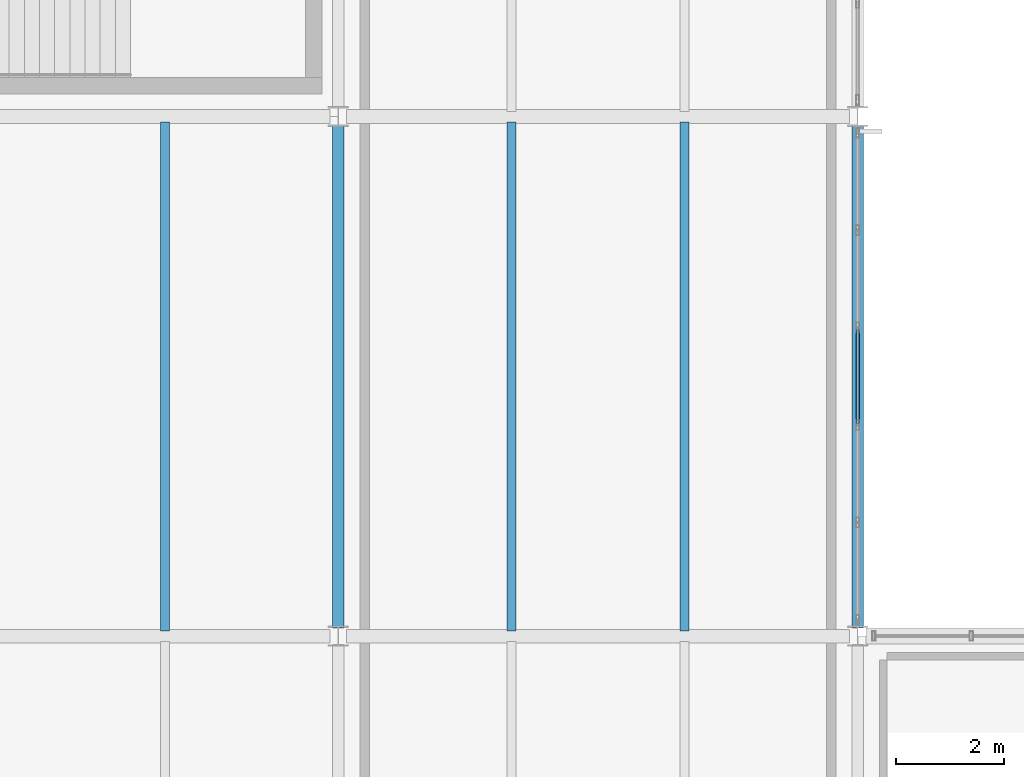
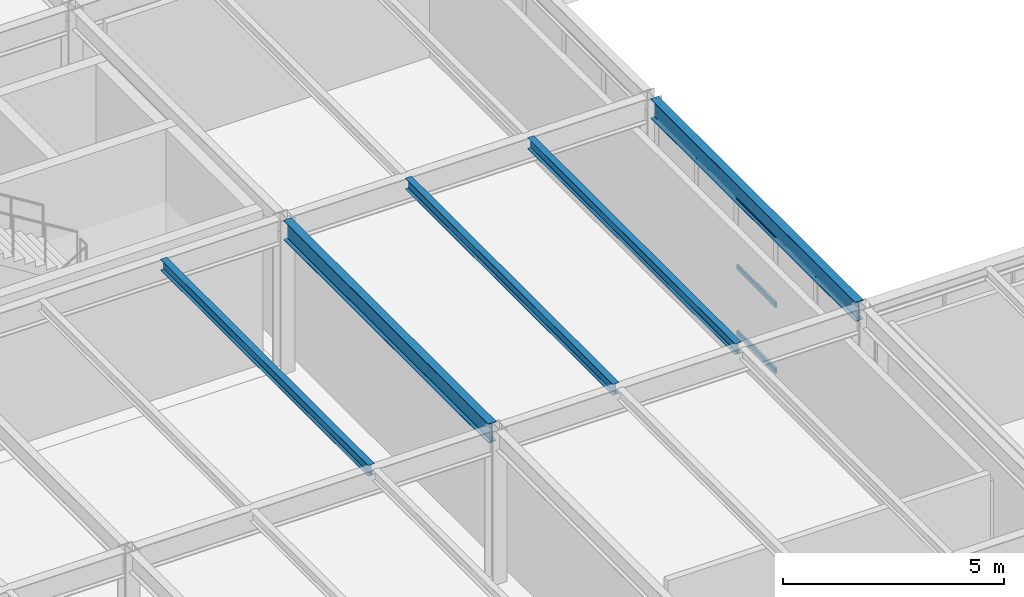
# One storey, part 27 of 170: 5 beams, 3 members, 1 element without a shape of its own.
"""IFC4 building model written with IfcOpenShell, lengths in metres."""

import ifcopenshell
import ifcopenshell.guid

model = None  # the IFC model being written
_history = None  # IfcOwnerHistory: only IFC2X3 demands one
_inside = {}  # id of a spatial element -> (the spatial element, [elements in it])
_under = {}  # id of a project, library or spatial element -> (it, [spatial elements below it])
_declared = {}  # id of a project -> (the project, [libraries it declares])
_typed = {}  # id of a type object -> (the type object, [elements of that type])
_made_of = {}  # id of a material, layer set ... -> (it, [elements and type objects made of it])


def new_model(schema):
    """Start an empty IFC model of exactly this schema.

    Asked for "IFC4X3", IfcOpenShell would pick the latest addendum, in which some entities
    have other attributes; the version numbers below select the first issue.
    IFC2X3 requires an IfcOwnerHistory on every rooted entity: one is made here for all.
    """
    global model, _history
    if schema == "IFC4X3":
        model = ifcopenshell.file(schema_version=(4, 3, 0, 0))
    else:
        model = ifcopenshell.file(schema=schema)
    _inside.clear()
    _under.clear()
    _declared.clear()
    _typed.clear()
    _made_of.clear()
    _history = None
    if model.schema == "IFC2X3":
        org = make("IfcOrganization", Name="unknown")
        user = make(
            "IfcPersonAndOrganization",
            ThePerson=make("IfcPerson", FamilyName="unknown"),
            TheOrganization=org,
        )
        app = make(
            "IfcApplication",
            ApplicationDeveloper=org,
            Version="unknown",
            ApplicationFullName="unknown",
            ApplicationIdentifier="unknown",
        )
        _history = make(
            "IfcOwnerHistory",
            OwningUser=user,
            OwningApplication=app,
            ChangeAction="ADDED",
            CreationDate=0,
        )
    return model


def make(cls, **values):
    """One entity of the class cls with the attributes given. An attribute that is None is left unset."""
    return model.create_entity(
        cls, **{name: value for name, value in values.items() if value is not None}
    )


def rooted(cls, **values):
    """An entity with a GlobalId (a new one), such as an element, a storey or a relation."""
    return make(cls, GlobalId=ifcopenshell.guid.new(), OwnerHistory=_history, **values)


def si_unit(unit_type, name, prefix=None):
    """IfcSIUnit, for example si_unit("LENGTHUNIT", "METRE", prefix="MILLI")."""
    return make("IfcSIUnit", UnitType=unit_type, Prefix=prefix, Name=name)


def assignment(units):
    """IfcUnitAssignment: the units of a project."""
    return None if units is None else make("IfcUnitAssignment", Units=units)


def point(xyz):
    """IfcCartesianPoint."""
    return None if xyz is None else make("IfcCartesianPoint", Coordinates=xyz)


def direction(xyz):
    """IfcDirection."""
    return None if xyz is None else make("IfcDirection", DirectionRatios=xyz)


def frame(location, z_axis=None, x_axis=None):
    """IfcAxis2Placement3D, a coordinate frame: its origin and axes. An axis left out is left unset."""
    return make(
        "IfcAxis2Placement3D",
        Location=point(location),
        Axis=direction(z_axis),
        RefDirection=direction(x_axis),
    )


def frame_2d(location, x_axis=None):
    """IfcAxis2Placement2D, a coordinate frame in the plane: its origin and x axis."""
    return make(
        "IfcAxis2Placement2D", Location=point(location), RefDirection=direction(x_axis)
    )


def origin():
    """The frame at (0, 0, 0) with its axes left unset."""
    return frame((0.0, 0.0, 0.0))


def origin_2d():
    """The frame at (0, 0) in the plane with its x axis left unset."""
    return frame_2d((0.0, 0.0))


def place(relative_to, where):
    """IfcLocalPlacement: puts the frame where relative to a parent placement (None: the world)."""
    return make(
        "IfcLocalPlacement", PlacementRelTo=relative_to, RelativePlacement=where
    )


def context(
    kind, dimensions, precision=None, world=None, true_north=None, identifier=None
):
    """IfcGeometricRepresentationContext, for example the 3D "Model" context."""
    return make(
        "IfcGeometricRepresentationContext",
        ContextIdentifier=identifier,
        ContextType=kind,
        CoordinateSpaceDimension=dimensions,
        Precision=precision,
        WorldCoordinateSystem=world,
        TrueNorth=true_north,
    )


def subcontext(parent, identifier, kind, view, scale=None):
    """IfcGeometricRepresentationSubContext, for example "Body" below "Model"."""
    return make(
        "IfcGeometricRepresentationSubContext",
        ContextIdentifier=identifier,
        ContextType=kind,
        ParentContext=parent,
        TargetScale=scale,
        TargetView=view,
    )


def project(units=None, contexts=None):
    """IfcProject with its units and contexts."""
    return rooted(
        "IfcProject",
        Name="project",
        RepresentationContexts=contexts,
        UnitsInContext=assignment(units),
    )


def spatial(cls, under=None, at=None, **own):
    """A site, building, storey or space (cls), placed at a placement, below another one or the project."""
    s = rooted(cls, ObjectPlacement=at, **own)
    if under is not None:
        _under.setdefault(under.id(), (under, []))[1].append(s)
    return s


def profile(cls, at=None, kind="AREA", **sizes):
    """A parametric profile (cls). Its sizes go by their IFC names, for example OverallWidth=200.0."""
    return make(cls, ProfileType=kind, Position=at, **sizes)


def hollow_rectangle(**sizes):
    """IfcRectangleHollowProfileDef."""
    return profile("IfcRectangleHollowProfileDef", **sizes)


def i_section(**sizes):
    """IfcIShapeProfileDef."""
    return profile("IfcIShapeProfileDef", **sizes)


def extrude(swept, where, along, depth):
    """IfcExtrudedAreaSolid: the profile swept, set in the frame where, extruded along a direction by depth."""
    return make(
        "IfcExtrudedAreaSolid",
        SweptArea=swept,
        Position=where,
        ExtrudedDirection=direction(along),
        Depth=depth,
    )


def shape(context_of_items, identifier, shape_type, items):
    """IfcShapeRepresentation: the items that make up one representation, for example the "Body"."""
    return make(
        "IfcShapeRepresentation",
        ContextOfItems=context_of_items,
        RepresentationIdentifier=identifier,
        RepresentationType=shape_type,
        Items=items,
    )


def material(Name=None, Category=None):
    """IfcMaterial."""
    return make("IfcMaterial", Name=Name, Category=Category)


def material_profile(
    of_material, cross_section, Name=None, Category=None, Priority=None
):
    """IfcMaterialProfile: a cross section and its material."""
    return make(
        "IfcMaterialProfile",
        Name=Name,
        Material=of_material,
        Profile=cross_section,
        Priority=Priority,
        Category=Category,
    )


def profile_set(profiles, Name=None, composite=None):
    """IfcMaterialProfileSet."""
    return make(
        "IfcMaterialProfileSet",
        Name=Name,
        MaterialProfiles=profiles,
        CompositeProfile=composite,
    )


def made_of(thing, what):
    """Note that an element or type object is made of a material, layer set ...; save() writes the relation."""
    if what is not None:
        _made_of.setdefault(what.id(), (what, []))[1].append(thing)
    return thing


def type_object(cls, material=None, **own):
    """A type object (cls), such as IfcWallType, which elements share."""
    return made_of(rooted(cls, **own), material)


def element(
    cls,
    number,
    at=None,
    inside=None,
    cuts=None,
    type_object=None,
    material=None,
    context=None,
    identifier="Body",
    shape_type=None,
    held_by="IfcProductDefinitionShape",
    body=None,
    shapes=None,
    **own,
):
    """One element of the class cls, such as IfcWall. Its Tag is "e" and its number.

    at: its placement. inside: the storey or other place that contains it. cuts: it is an
    opening in that element (IfcRelVoidsElement). A single representation is given by context,
    identifier, shape_type and body (its items); several are given by shapes. held_by: the class
    of the entity that holds the representations. save() writes the other relations.
    """
    e = rooted(cls, Tag="e%d" % number, ObjectPlacement=at, **own)
    if body is not None:
        shapes = [shape(context, identifier, shape_type, body)]
    if shapes is not None:
        e.Representation = make(held_by, Representations=shapes)
    if inside is not None:
        _inside.setdefault(inside.id(), (inside, []))[1].append(e)
    if cuts is not None:
        rooted(
            "IfcRelVoidsElement", RelatingBuildingElement=cuts, RelatedOpeningElement=e
        )
    if type_object is not None:
        _typed.setdefault(type_object.id(), (type_object, []))[1].append(e)
    return made_of(e, material)


def aggregate(whole, parts):
    """IfcRelAggregates: a whole, such as a stair, and the parts it consists of."""
    return rooted("IfcRelAggregates", RelatingObject=whole, RelatedObjects=parts)


def save(model, path):
    """Write the relations noted so far, then the file.

    IfcRelAggregates (storeys below a building ...), IfcRelContainedInSpatialStructure (elements
    in a storey), IfcRelDefinesByType, IfcRelAssociatesMaterial and IfcRelDeclares: one each for
    every whole, place, type object, material and project.
    """
    for whole, parts in _under.values():
        aggregate(whole, parts)
    for where, things in _inside.values():
        rooted(
            "IfcRelContainedInSpatialStructure",
            RelatedElements=things,
            RelatingStructure=where,
        )
    for kind, things in _typed.values():
        rooted("IfcRelDefinesByType", RelatedObjects=things, RelatingType=kind)
    for what, things in _made_of.values():
        rooted("IfcRelAssociatesMaterial", RelatedObjects=things, RelatingMaterial=what)
    for by, libraries in _declared.values():
        rooted("IfcRelDeclares", RelatingContext=by, RelatedDefinitions=libraries)
    model.write(path)


model = new_model("IFC4")

# Units and contexts
model_context = context("Model", 3, precision=1e-05, world=origin(), true_north=direction((0.0, 1.0)))
body_context = subcontext(model_context, "Body", "Model", "MODEL_VIEW")
ifc_project = project(units=[si_unit("LENGTHUNIT", "METRE"), si_unit("AREAUNIT", "SQUARE_METRE"), si_unit("VOLUMEUNIT", "CUBIC_METRE"), si_unit("PLANEANGLEUNIT", "RADIAN"), si_unit("MASSUNIT", "GRAM", prefix="KILO")], contexts=[model_context])

# Site, building, storey
site_placement = place(None, origin())
site = spatial("IfcSite", under=ifc_project, at=site_placement, CompositionType="ELEMENT")
building_placement = place(site_placement, origin())
building = spatial("IfcBuilding", under=site, at=building_placement, Name="Coralgate Yard Interchange", CompositionType="ELEMENT")
storey_placement = place(building_placement, frame((0.0, 0.0, 6.0)))
storey = spatial("IfcBuildingStorey", under=building, at=storey_placement, Name="L01", CompositionType="ELEMENT", Elevation=6.0)

# Beams
ifc_material_1 = material(Name="Structural steel S355J2", Category="steel")
ifc_material_profile_1 = material_profile(ifc_material_1, i_section(OverallWidth=0.209228515625, OverallDepth=0.533203125, WebThickness=0.010009765625, FlangeThickness=0.015625, FilletRadius=0.0126953125, at=origin_2d()), Name="UB 533x210x92")
ifc_profile_set_1 = profile_set([ifc_material_profile_1], Name="Structural steel S355J2")
beam_type_1 = type_object("IfcBeamType", Name="BM-SB-1", PredefinedType="BEAM", material=ifc_profile_set_1)
for number, where, z_axis, x_axis, name in (
    (1, (19.199951171875, 19.35400390625, 3.9833984375), (0.0, 1.0, 0.0), (-1.0, 0.0, 0.0), "L01 primary grid girder X2 Y2-3"),
    (2, (28.800048828125, 19.35400390625, 3.9833984375), (0.0, 1.0, 0.0), (-1.0, 0.0, 0.0), "L01 primary grid girder X3 Y2-3"),
):
    element("IfcBeam", number, at=place(storey_placement, frame(where, z_axis=z_axis, x_axis=x_axis)), inside=storey, type_object=beam_type_1, Name=name, PredefinedType="BEAM", context=body_context, shape_type="SweptSolid", body=[
        extrude(i_section(OverallWidth=0.209228515625, OverallDepth=0.533203125, WebThickness=0.010009765625, FlangeThickness=0.015625, FilletRadius=0.0126953125, at=origin_2d()), origin(), (0.0, 0.0, 1.0), 9.2919921875),
    ])
ifc_material_profile_2 = material_profile(ifc_material_1, i_section(OverallWidth=0.1650390625, OverallDepth=0.303466796875, WebThickness=0.006103515625, FlangeThickness=0.01025390625, FilletRadius=0.0087890625, at=origin_2d()), Name="UB 305x165x40")
ifc_profile_set_2 = profile_set([ifc_material_profile_2], Name="Structural steel S355J2")
beam_type_2 = type_object("IfcBeamType", Name="BM-SJ-1", PredefinedType="JOIST", material=ifc_profile_set_2)
for number, where, z_axis, x_axis, name in (
    (3, (16.0, 19.296875, 4.098388671875), (0.0, 1.0, 0.0), (-1.0, 0.0, 0.0), "L01 composite floor joist 1-2-2"),
    (4, (22.39990234375, 19.296875, 4.098388671875), (0.0, 1.0, 0.0), (-1.0, 0.0, 0.0), "L01 composite floor joist 2-2-1"),
    (5, (25.60009765625, 19.296875, 4.098388671875), (0.0, 1.0, 0.0), (-1.0, 0.0, 0.0), "L01 composite floor joist 2-2-2"),
):
    element("IfcBeam", number, at=place(storey_placement, frame(where, z_axis=z_axis, x_axis=x_axis)), inside=storey, type_object=beam_type_2, Name=name, PredefinedType="JOIST", context=body_context, shape_type="SweptSolid", body=[
        extrude(i_section(OverallWidth=0.1650390625, OverallDepth=0.303466796875, WebThickness=0.006103515625, FlangeThickness=0.01025390625, FilletRadius=0.0087890625, at=origin_2d()), origin(), (0.0, 0.0, 1.0), 9.40625),
    ])

# Curtain wall, members
ifc_material_2 = material(Name="Anodised coastal aluminium and solar-control low-E glass", Category="aluminium")
curtain_wall_type = type_object("IfcCurtainWallType", Name="CW-CW-L01-B", PredefinedType="NOTDEFINED", material=ifc_material_2)
curtain_wall_placement = place(storey_placement, origin())
curtain_wall = element("IfcCurtainWall", 6, at=curtain_wall_placement, inside=storey, type_object=curtain_wall_type, Name="L01 unitised curtain wall CW-L01-E-02-02", PredefinedType="NOTDEFINED")
ifc_material_3 = material(Name="Anodised coastal aluminium 6063-T6", Category="aluminium")
ifc_material_profile_3 = material_profile(ifc_material_3, hollow_rectangle(XDim=0.06005859375, YDim=0.139892578125, WallThickness=0.00341796875, InnerFilletRadius=0.00341796875, OuterFilletRadius=0.007080078125, at=origin_2d()), Name="ALU 60x140x3.5")
ifc_profile_set_3 = profile_set([ifc_material_profile_3], Name="Anodised coastal aluminium 6063-T6")
member_type = type_object("IfcMemberType", Name="MB-TRN-140", PredefinedType="USERDEFINED", material=ifc_profile_set_3)
member_1_placement = place(storey_placement, frame((28.800048828125, 24.8701171875, 0.034912109375), z_axis=(0.0, -1.0, 0.0), x_axis=(1.0, 0.0, 0.0)))
member_1 = element("IfcMember", 7, at=member_1_placement, type_object=member_type, Name="CW-L01-E-02-02 horizontal transom 3-1", ObjectType="TRANSOM", PredefinedType="USERDEFINED", context=body_context, shape_type="SweptSolid", body=[
    extrude(hollow_rectangle(XDim=0.06005859375, YDim=0.139892578125, WallThickness=0.00341796875, InnerFilletRadius=0.00341796875, OuterFilletRadius=0.007080078125, at=origin_2d()), origin(), (0.0, 0.0, 1.0), 1.740234375),
])
member_2_placement = place(storey_placement, frame((28.800048828125, 24.8701171875, 1.8583984375), z_axis=(0.0, -1.0, 0.0), x_axis=(1.0, 0.0, 0.0)))
member_2 = element("IfcMember", 8, at=member_2_placement, type_object=member_type, Name="CW-L01-E-02-02 horizontal transom 3-2", ObjectType="TRANSOM", PredefinedType="USERDEFINED", context=body_context, shape_type="SweptSolid", body=[
    extrude(hollow_rectangle(XDim=0.06005859375, YDim=0.139892578125, WallThickness=0.00341796875, InnerFilletRadius=0.00341796875, OuterFilletRadius=0.007080078125, at=origin_2d()), origin(), (0.0, 0.0, 1.0), 1.740234375),
])
member_3_placement = place(storey_placement, frame((28.800048828125, 24.8701171875, 3.681884765625), z_axis=(0.0, -1.0, 0.0), x_axis=(1.0, 0.0, 0.0)))
member_3 = element("IfcMember", 9, at=member_3_placement, type_object=member_type, Name="CW-L01-E-02-02 horizontal transom 3-3", ObjectType="TRANSOM", PredefinedType="USERDEFINED", context=body_context, shape_type="SweptSolid", body=[
    extrude(hollow_rectangle(XDim=0.06005859375, YDim=0.139892578125, WallThickness=0.00341796875, InnerFilletRadius=0.00341796875, OuterFilletRadius=0.007080078125, at=origin_2d()), origin(), (0.0, 0.0, 1.0), 1.740234375),
])
aggregate(curtain_wall, [member_1, member_2, member_3])

save(model, "model.ifc")
